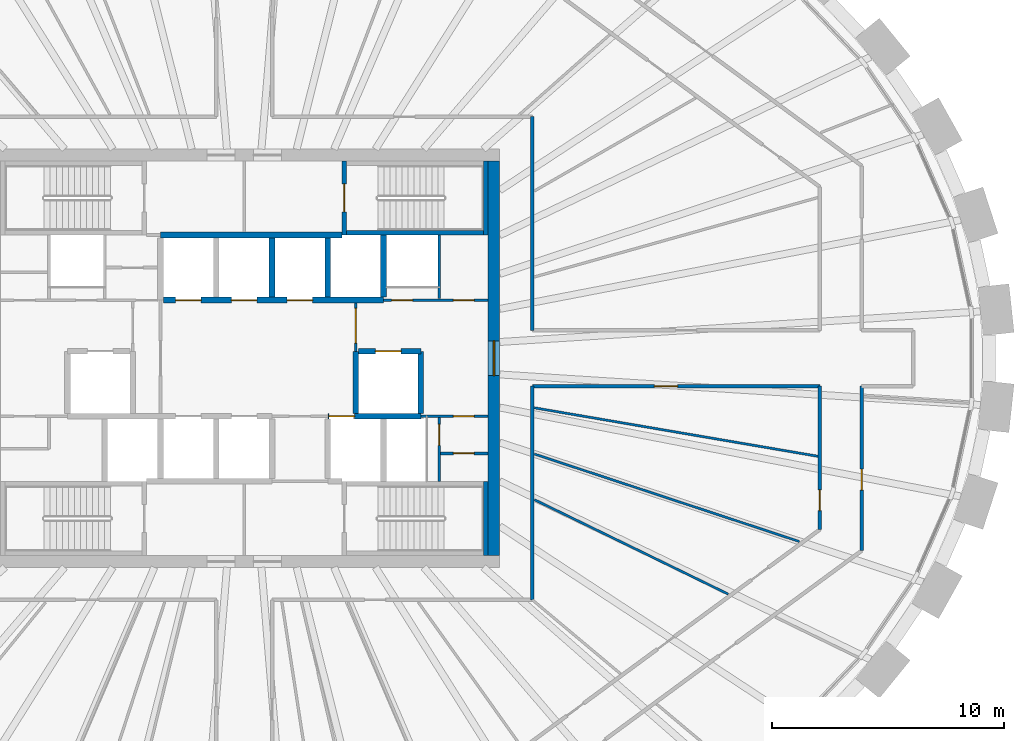
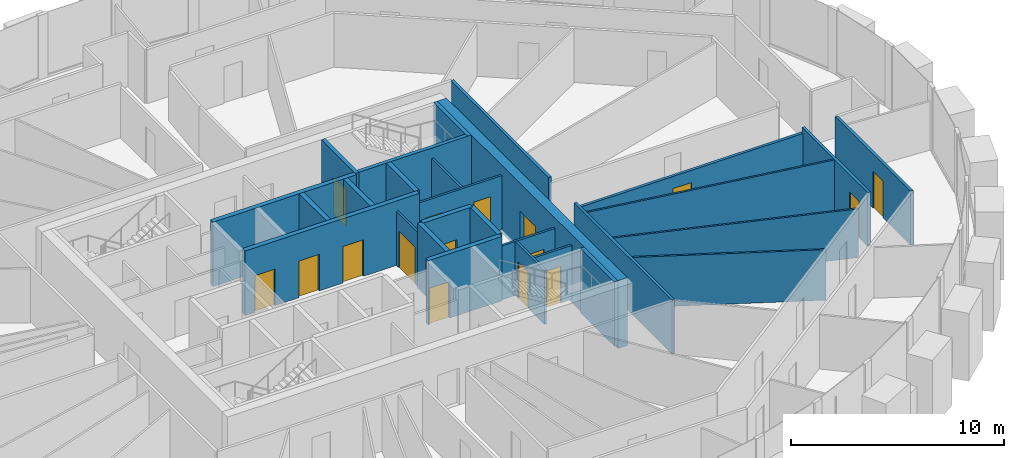
# One storey, part 9 of 12: 28 walls, 16 doors, 16 openings.
"""IFC4 building model written with IfcOpenShell, lengths in metres."""

from ifc_helpers import new_model, si_unit, direction, frame, frame_2d, origin, place, context, subcontext, project, spatial, rectangle, extrude, source, transform, mapped, material, layer, layer_set, type_object, element, fill, save


model = new_model("IFC4")

# Units and contexts
model_context = context("Model", 3, precision=1e-05, world=origin(), true_north=direction((0.0, 1.0)))
body_context = subcontext(model_context, "Body", "Model", "MODEL_VIEW")
ifc_project = project(units=[si_unit("LENGTHUNIT", "METRE"), si_unit("AREAUNIT", "SQUARE_METRE"), si_unit("VOLUMEUNIT", "CUBIC_METRE"), si_unit("PLANEANGLEUNIT", "RADIAN"), si_unit("MASSUNIT", "GRAM", prefix="KILO")], contexts=[model_context])

# Site, building, storey
site_placement = place(None, origin())
site = spatial("IfcSite", under=ifc_project, at=site_placement, CompositionType="ELEMENT")
building_placement = place(site_placement, origin())
building = spatial("IfcBuilding", under=site, at=building_placement, Name="Embergate Tower", CompositionType="ELEMENT")
storey_placement = place(building_placement, frame((0.0, 0.0, 269.5)))
storey = spatial("IfcBuildingStorey", under=building, at=storey_placement, Name="L62", CompositionType="ELEMENT", Elevation=269.5)

# Wall, opening, door
ifc_material_1 = material(Name="Concrete C50", Category="concrete")
ifc_layer_1 = layer(ifc_material_1, 0.5)
ifc_layer_set_1 = layer_set([ifc_layer_1], Name="Concrete C50")
wall_type_1 = type_object("IfcWallType", Name="Core outer wall C50 500", PredefinedType="SHEAR", material=ifc_layer_set_1)
shared_shape_1 = source(origin(), body_context, "Body", "SweptSolid", [
    extrude(rectangle(XDim=17.0, YDim=0.5, at=frame_2d((8.5, 0.0))), origin(), (0.0, 0.0, 1.0), 3.89990234375),
])
wall_1_placement = place(storey_placement, frame((10.75, -8.5, -0.199951171875), z_axis=(0.0, 0.0, 1.0), x_axis=(0.0, 1.0, 0.0)))
wall_1 = element("IfcWall", 1, at=wall_1_placement, inside=storey, type_object=wall_type_1, Name="CW-L62-E", PredefinedType="SHEAR", context=body_context, shape_type="MappedRepresentation", body=[
    mapped(shared_shape_1, transform((0.0, 0.0, 0.0))),
])
shared_shape_2 = source(origin(), body_context, "Body", "SweptSolid", [
    extrude(rectangle(XDim=1.5, YDim=2.10009765625, at=frame_2d((0.75, 1.050048828125))), frame((0.0, 0.260009765625, 0.0), z_axis=(0.0, -1.0, 0.0), x_axis=(1.0, 0.0, 0.0)), (0.0, 0.0, 1.0), 0.52001953125),
])
opening_1_placement = place(wall_1_placement, frame((7.75, 0.0, 0.199951171875)))
opening_1 = element("IfcOpeningElement", 2, at=opening_1_placement, cuts=wall_1, Name="Opening IF-3", PredefinedType="OPENING", context=body_context, shape_type="MappedRepresentation", body=[
    mapped(shared_shape_2, transform((0.0, 0.0, 0.0))),
])
ifc_material_2 = material(Name="Lobby fire door pair 1500")
door_type_1 = type_object("IfcDoorType", Name="Lobby fire door pair 1500", OperationType="DOUBLE_DOOR_SINGLE_SWING", PredefinedType="DOOR", material=ifc_material_2)
shared_shape_3 = source(origin(), body_context, "Body", "SweptSolid", [
    extrude(rectangle(XDim=1.5, YDim=2.10009765625, at=frame_2d((0.75, 1.050048828125))), frame((0.0, 0.02490234375, 0.0), z_axis=(0.0, -1.0, 0.0), x_axis=(1.0, 0.0, 0.0)), (0.0, 0.0, 1.0), 0.050048828125),
])
door_1_placement = place(opening_1_placement, origin())
door_1 = element("IfcDoor", 3, at=door_1_placement, inside=storey, type_object=door_type_1, Name="IF-3 door", OperationType="DOUBLE_DOOR_SINGLE_SWING", OverallHeight=2.10009765625, OverallWidth=1.5, PredefinedType="DOOR", context=body_context, shape_type="MappedRepresentation", body=[
    mapped(shared_shape_3, transform((0.0, 0.0, 0.0))),
])
fill(opening_1, door_1)

# Walls
ifc_layer_2 = layer(ifc_material_1, 0.25)
ifc_layer_set_2 = layer_set([ifc_layer_2], Name="Concrete C50")
wall_type_2 = type_object("IfcWallType", Name="Hoistway wall reinforced concrete 250", PredefinedType="SHEAR", material=ifc_layer_set_2)
shared_shape_4 = source(origin(), body_context, "Body", "SweptSolid", [
    extrude(rectangle(XDim=2.675048828125, YDim=0.25, at=frame_2d((1.33740234375, 0.0))), origin(), (0.0, 0.0, 1.0), 3.699951171875),
])
for number, where, z_axis, x_axis, name in (
    (4, (6.0, 2.625, 0.0), (0.0, 0.0, 1.0), (0.0, 1.0, 0.0), "HW-1 wall"),
    (5, (4.800048828125, -2.375, 0.0), (0.0, 0.0, 1.0), (0.0, 1.0, 0.0), "HW-1 wall"),
):
    element("IfcWall", number, at=place(storey_placement, frame(where, z_axis=z_axis, x_axis=x_axis)), inside=storey, type_object=wall_type_2, Name=name, PredefinedType="SHEAR", context=body_context, shape_type="MappedRepresentation", body=[
        mapped(shared_shape_4, transform((0.0, 0.0, 0.0))),
    ])

# Wall, opening, door
wall_2_placement = place(storey_placement, frame((7.60009765625, 0.300048828125, 0.0), z_axis=(0.0, 0.0, 1.0), x_axis=(-1.0, 0.0, 0.0)))
wall_2 = element("IfcWall", 6, at=wall_2_placement, inside=storey, type_object=wall_type_2, Name="HW-1 wall", PredefinedType="SHEAR", context=body_context, shape_type="MappedRepresentation", body=[
    mapped(shared_shape_4, transform((0.0, 0.0, 0.0))),
])
shared_shape_5 = source(origin(), body_context, "Body", "SweptSolid", [
    extrude(rectangle(XDim=1.10009765625, YDim=2.10009765625, at=frame_2d((0.550048828125, 1.050048828125))), frame((0.0, 0.135009765625, 0.0), z_axis=(0.0, -1.0, 0.0), x_axis=(1.0, 0.0, 0.0)), (0.0, 0.0, 1.0), 0.27001953125),
])
opening_2_placement = place(wall_2_placement, frame((0.85009765625, 0.0, 0.0)))
opening_2 = element("IfcOpeningElement", 7, at=opening_2_placement, cuts=wall_2, Name="Opening LD", PredefinedType="OPENING", context=body_context, shape_type="MappedRepresentation", body=[
    mapped(shared_shape_5, transform((0.0, 0.0, 0.0))),
])
ifc_material_3 = material(Name="Landing door sliding 1100")
door_type_2 = type_object("IfcDoorType", Name="Landing door sliding 1100", OperationType="SLIDING_TO_LEFT", PredefinedType="DOOR", material=ifc_material_3)
shared_shape_6 = source(origin(), body_context, "Body", "SweptSolid", [
    extrude(rectangle(XDim=1.10009765625, YDim=2.10009765625, at=frame_2d((0.550048828125, 1.050048828125))), frame((0.0, 0.02490234375, 0.0), z_axis=(0.0, -1.0, 0.0), x_axis=(1.0, 0.0, 0.0)), (0.0, 0.0, 1.0), 0.050048828125),
])
door_2_placement = place(opening_2_placement, origin())
door_2 = element("IfcDoor", 8, at=door_2_placement, inside=storey, type_object=door_type_2, Name="LD door", OperationType="SLIDING_TO_LEFT", OverallHeight=2.10009765625, OverallWidth=1.10009765625, PredefinedType="DOOR", context=body_context, shape_type="MappedRepresentation", body=[
    mapped(shared_shape_6, transform((0.0, 0.0, 0.0))),
])
fill(opening_2, door_2)

# Walls
wall_3_placement = place(storey_placement, frame((7.60009765625, -2.375, 0.0), z_axis=(0.0, 0.0, 1.0), x_axis=(0.0, 1.0, 0.0)))
element("IfcWall", 9, at=wall_3_placement, inside=storey, type_object=wall_type_2, Name="HW-1 wall", PredefinedType="SHEAR", context=body_context, shape_type="MappedRepresentation", body=[
    mapped(shared_shape_4, transform((0.0, 0.0, 0.0))),
])
ifc_layer_3 = layer(ifc_material_1, 0.199951171875)
ifc_layer_set_3 = layer_set([ifc_layer_3], Name="Concrete C50")
wall_type_3 = type_object("IfcWallType", Name="Stair enclosure wall reinforced concrete 250", PredefinedType="SHEAR", material=ifc_layer_set_3)
shared_shape_7 = source(origin(), body_context, "Body", "SweptSolid", [
    extrude(rectangle(XDim=6.300048828125, YDim=0.199951171875, at=frame_2d((3.14990234375, 0.0))), origin(), (0.0, 0.0, 1.0), 3.699951171875),
])
wall_4_placement = place(storey_placement, frame((10.5, 5.39990234375, 0.0), z_axis=(0.0, 0.0, 1.0), x_axis=(-1.0, 0.0, 0.0)))
element("IfcWall", 10, at=wall_4_placement, inside=storey, type_object=wall_type_3, Name="SE-1 wall", PredefinedType="SHEAR", context=body_context, shape_type="MappedRepresentation", body=[
    mapped(shared_shape_7, transform((0.0, 0.0, 0.0))),
])
ifc_material_4 = material(Name="Core partition blockwork 120")
ifc_layer_4 = layer(ifc_material_4, 0.1201171875)
ifc_layer_set_4 = layer_set([ifc_layer_4], Name="Core partition blockwork 120")
wall_type_4 = type_object("IfcWallType", Name="Core partition blockwork 120", PredefinedType="PARTITIONING", material=ifc_layer_set_4)
shared_shape_8 = source(origin(), body_context, "Body", "SweptSolid", [
    extrude(rectangle(XDim=2.739990234375, YDim=0.1201171875, at=frame_2d((1.3701171875, 0.0))), origin(), (0.0, 0.0, 1.0), 3.10009765625),
])
wall_5_placement = place(storey_placement, frame((8.39990234375, 2.56005859375, 0.0), z_axis=(0.0, 0.0, 1.0), x_axis=(0.0, 1.0, 0.0)))
element("IfcWall", 11, at=wall_5_placement, inside=storey, type_object=wall_type_4, Name="IP-3 wall", PredefinedType="PARTITIONING", context=body_context, shape_type="MappedRepresentation", body=[
    mapped(shared_shape_8, transform((0.0, 0.0, 0.0))),
])

# Wall, opening, door
wall_6_placement = place(storey_placement, frame((8.39990234375, -5.300048828125, 0.0), z_axis=(0.0, 0.0, 1.0), x_axis=(0.0, 1.0, 0.0)))
wall_6 = element("IfcWall", 12, at=wall_6_placement, inside=storey, type_object=wall_type_4, Name="IP-3 wall", PredefinedType="PARTITIONING", context=body_context, shape_type="MappedRepresentation", body=[
    mapped(shared_shape_8, transform((0.0, 0.0, 0.0))),
])
shared_shape_9 = source(origin(), body_context, "Body", "SweptSolid", [
    extrude(rectangle(XDim=0.89990234375, YDim=2.10009765625, at=frame_2d((0.449951171875, 1.050048828125))), frame((0.0, 0.070068359375, 0.0), z_axis=(0.0, -1.0, 0.0), x_axis=(1.0, 0.0, 0.0)), (0.0, 0.0, 1.0), 0.14013671875),
])
opening_3_placement = place(wall_6_placement, frame((1.552001953125, 0.0, 0.0)))
opening_3 = element("IfcOpeningElement", 13, at=opening_3_placement, cuts=wall_6, Name="Opening ID-1", PredefinedType="OPENING", context=body_context, shape_type="MappedRepresentation", body=[
    mapped(shared_shape_9, transform((0.0, 0.0, 0.0))),
])
ifc_material_5 = material(Name="Interior door 900")
door_type_3 = type_object("IfcDoorType", Name="Interior door 900", OperationType="SINGLE_SWING_LEFT", PredefinedType="DOOR", material=ifc_material_5)
shared_shape_10 = source(origin(), body_context, "Body", "SweptSolid", [
    extrude(rectangle(XDim=0.89990234375, YDim=2.10009765625, at=frame_2d((0.449951171875, 1.050048828125))), frame((0.0, 0.02490234375, 0.0), z_axis=(0.0, -1.0, 0.0), x_axis=(1.0, 0.0, 0.0)), (0.0, 0.0, 1.0), 0.050048828125),
])
door_3_placement = place(opening_3_placement, origin())
door_3 = element("IfcDoor", 14, at=door_3_placement, inside=storey, type_object=door_type_3, Name="ID-1 door", OperationType="SINGLE_SWING_LEFT", OverallHeight=2.10009765625, OverallWidth=0.89990234375, PredefinedType="DOOR", context=body_context, shape_type="MappedRepresentation", body=[
    mapped(shared_shape_10, transform((0.0, 0.0, 0.0))),
])
fill(opening_3, door_3)

# Walls
shared_shape_11 = source(origin(), body_context, "Body", "SweptSolid", [
    extrude(rectangle(XDim=2.550048828125, YDim=0.25, at=frame_2d((1.27490234375, 0.0))), origin(), (0.0, 0.0, 1.0), 3.699951171875),
])
for number, where, z_axis, x_axis, name in (
    (15, (1.199951171875, 2.625, 0.0), (0.0, 0.0, 1.0), (0.0, 1.0, 0.0), "HW-1 wall"),
    (16, (3.60009765625, 2.625, 0.0), (0.0, 0.0, 1.0), (0.0, 1.0, 0.0), "HW-1 wall"),
):
    element("IfcWall", number, at=place(storey_placement, frame(where, z_axis=z_axis, x_axis=x_axis)), inside=storey, type_object=wall_type_2, Name=name, PredefinedType="SHEAR", context=body_context, shape_type="MappedRepresentation", body=[
        mapped(shared_shape_11, transform((0.0, 0.0, 0.0))),
    ])

# Wall, opening, door
shared_shape_12 = source(origin(), body_context, "Body", "SweptSolid", [
    extrude(rectangle(XDim=2.074951171875, YDim=0.1201171875, at=frame_2d((1.03759765625, 0.0))), origin(), (0.0, 0.0, 1.0), 3.10009765625),
])
wall_7_placement = place(storey_placement, frame((4.800048828125, 0.300048828125, 0.0), z_axis=(0.0, 0.0, 1.0), x_axis=(0.0, 1.0, 0.0)))
wall_7 = element("IfcWall", 17, at=wall_7_placement, inside=storey, type_object=wall_type_4, Name="IP-3 wall", PredefinedType="PARTITIONING", context=body_context, shape_type="MappedRepresentation", body=[
    mapped(shared_shape_12, transform((0.0, 0.0, 0.0))),
])
shared_shape_13 = source(origin(), body_context, "Body", "SweptSolid", [
    extrude(rectangle(XDim=1.5, YDim=2.10009765625, at=frame_2d((0.75, 1.050048828125))), frame((0.0, 0.070068359375, 0.0), z_axis=(0.0, -1.0, 0.0), x_axis=(1.0, 0.0, 0.0)), (0.0, 0.0, 1.0), 0.14013671875),
])
opening_4_placement = place(wall_7_placement, frame((0.35009765625, 0.0, 0.0)))
opening_4 = element("IfcOpeningElement", 18, at=opening_4_placement, cuts=wall_7, Name="Opening IF-3", PredefinedType="OPENING", context=body_context, shape_type="MappedRepresentation", body=[
    mapped(shared_shape_13, transform((0.0, 0.0, 0.0))),
])
door_4_placement = place(opening_4_placement, origin())
door_4 = element("IfcDoor", 19, at=door_4_placement, inside=storey, type_object=door_type_1, Name="IF-3 door", OperationType="DOUBLE_DOOR_SINGLE_SWING", OverallHeight=2.10009765625, OverallWidth=1.5, PredefinedType="DOOR", context=body_context, shape_type="MappedRepresentation", body=[
    mapped(shared_shape_3, transform((0.0, 0.0, 0.0))),
])
fill(opening_4, door_4)

shared_shape_14 = source(origin(), body_context, "Body", "SweptSolid", [
    extrude(rectangle(XDim=3.199951171875, YDim=0.199951171875, at=frame_2d((1.60009765625, 0.0))), origin(), (0.0, 0.0, 1.0), 3.699951171875),
])
wall_8_placement = place(storey_placement, frame((4.300048828125, 8.5, 0.0), z_axis=(0.0, 0.0, 1.0), x_axis=(0.0, -1.0, 0.0)))
wall_8 = element("IfcWall", 20, at=wall_8_placement, inside=storey, type_object=wall_type_3, Name="SE-1 wall", PredefinedType="SHEAR", context=body_context, shape_type="MappedRepresentation", body=[
    mapped(shared_shape_14, transform((0.0, 0.0, 0.0))),
])
shared_shape_15 = source(origin(), body_context, "Body", "SweptSolid", [
    extrude(rectangle(XDim=1.199951171875, YDim=2.10009765625, at=frame_2d((0.60009765625, 1.050048828125))), frame((0.0, 0.10986328125, 0.0), z_axis=(0.0, -1.0, 0.0), x_axis=(1.0, 0.0, 0.0)), (0.0, 0.0, 1.0), 0.219970703125),
])
opening_5_placement = place(wall_8_placement, frame((1.0, 0.0, 0.0)))
opening_5 = element("IfcOpeningElement", 21, at=opening_5_placement, cuts=wall_8, Name="Opening IF-2", PredefinedType="OPENING", context=body_context, shape_type="MappedRepresentation", body=[
    mapped(shared_shape_15, transform((0.0, 0.0, 0.0))),
])
ifc_material_6 = material(Name="Stair enclosure door 1200")
door_type_4 = type_object("IfcDoorType", Name="Stair enclosure door 1200", OperationType="SINGLE_SWING_LEFT", PredefinedType="DOOR", material=ifc_material_6)
shared_shape_16 = source(origin(), body_context, "Body", "SweptSolid", [
    extrude(rectangle(XDim=1.199951171875, YDim=2.10009765625, at=frame_2d((0.60009765625, 1.050048828125))), frame((0.0, 0.02490234375, 0.0), z_axis=(0.0, -1.0, 0.0), x_axis=(1.0, 0.0, 0.0)), (0.0, 0.0, 1.0), 0.050048828125),
])
door_5_placement = place(opening_5_placement, origin())
door_5 = element("IfcDoor", 22, at=door_5_placement, inside=storey, type_object=door_type_4, Name="IF-2 door", OperationType="SINGLE_SWING_RIGHT", OverallHeight=2.10009765625, OverallWidth=1.199951171875, PredefinedType="DOOR", context=body_context, shape_type="MappedRepresentation", body=[
    mapped(shared_shape_16, transform((0.0, 0.0, 0.0))),
])
fill(opening_5, door_5)

# Wall, openings, doors
shared_shape_17 = source(origin(), body_context, "Body", "SweptSolid", [
    extrude(rectangle(XDim=9.47509765625, YDim=0.25, at=frame_2d((4.737548828125, 0.0))), origin(), (0.0, 0.0, 1.0), 3.699951171875),
])
wall_9_placement = place(storey_placement, frame((-3.47509765625, 2.5, 0.0), z_axis=(0.0, 0.0, 1.0), x_axis=(1.0, 0.0, 0.0)))
wall_9 = element("IfcWall", 23, at=wall_9_placement, inside=storey, type_object=wall_type_2, Name="HW-1 wall", PredefinedType="SHEAR", context=body_context, shape_type="MappedRepresentation", body=[
    mapped(shared_shape_17, transform((0.0, 0.0, 0.0))),
])
opening_6_placement = place(wall_9_placement, frame((0.52490234375, 0.0, 0.0)))
opening_6 = element("IfcOpeningElement", 24, at=opening_6_placement, cuts=wall_9, Name="Opening LD", PredefinedType="OPENING", context=body_context, shape_type="MappedRepresentation", body=[
    mapped(shared_shape_5, transform((0.0, 0.0, 0.0))),
])
opening_7_placement = place(wall_9_placement, frame((2.925048828125, 0.0, 0.0)))
opening_7 = element("IfcOpeningElement", 25, at=opening_7_placement, cuts=wall_9, Name="Opening LD", PredefinedType="OPENING", context=body_context, shape_type="MappedRepresentation", body=[
    mapped(shared_shape_5, transform((0.0, 0.0, 0.0))),
])
opening_8_placement = place(wall_9_placement, frame((5.324951171875, 0.0, 0.0)))
opening_8 = element("IfcOpeningElement", 26, at=opening_8_placement, cuts=wall_9, Name="Opening LD", PredefinedType="OPENING", context=body_context, shape_type="MappedRepresentation", body=[
    mapped(shared_shape_5, transform((0.0, 0.0, 0.0))),
])
door_6_placement = place(opening_6_placement, origin())
door_6 = element("IfcDoor", 27, at=door_6_placement, inside=storey, type_object=door_type_2, Name="LD door", OperationType="SLIDING_TO_LEFT", OverallHeight=2.10009765625, OverallWidth=1.10009765625, PredefinedType="DOOR", context=body_context, shape_type="MappedRepresentation", body=[
    mapped(shared_shape_6, transform((0.0, 0.0, 0.0))),
])
fill(opening_6, door_6)
door_7_placement = place(opening_7_placement, origin())
door_7 = element("IfcDoor", 28, at=door_7_placement, inside=storey, type_object=door_type_2, Name="LD door", OperationType="SLIDING_TO_LEFT", OverallHeight=2.10009765625, OverallWidth=1.10009765625, PredefinedType="DOOR", context=body_context, shape_type="MappedRepresentation", body=[
    mapped(shared_shape_6, transform((0.0, 0.0, 0.0))),
])
fill(opening_7, door_7)
door_8_placement = place(opening_8_placement, origin())
door_8 = element("IfcDoor", 29, at=door_8_placement, inside=storey, type_object=door_type_2, Name="LD door", OperationType="SLIDING_TO_LEFT", OverallHeight=2.10009765625, OverallWidth=1.10009765625, PredefinedType="DOOR", context=body_context, shape_type="MappedRepresentation", body=[
    mapped(shared_shape_6, transform((0.0, 0.0, 0.0))),
])
fill(opening_8, door_8)

# Wall
shared_shape_18 = source(origin(), body_context, "Body", "SweptSolid", [
    extrude(rectangle(XDim=7.800048828125, YDim=0.25, at=frame_2d((3.89990234375, 0.0))), origin(), (0.0, 0.0, 1.0), 3.699951171875),
])
wall_10_placement = place(storey_placement, frame((4.199951171875, 5.300048828125, 0.0), z_axis=(0.0, 0.0, 1.0), x_axis=(-1.0, 0.0, 0.0)))
element("IfcWall", 30, at=wall_10_placement, inside=storey, type_object=wall_type_2, Name="HW-1 wall", PredefinedType="SHEAR", context=body_context, shape_type="MappedRepresentation", body=[
    mapped(shared_shape_18, transform((0.0, 0.0, 0.0))),
])

# Wall, opening, door
shared_shape_19 = source(origin(), body_context, "Body", "SweptSolid", [
    extrude(rectangle(XDim=4.0, YDim=0.25, at=frame_2d((2.0, 0.0))), origin(), (0.0, 0.0, 1.0), 3.699951171875),
])
wall_11_placement = place(storey_placement, frame((7.60009765625, -2.5, 0.0), z_axis=(0.0, 0.0, 1.0), x_axis=(-1.0, 0.0, 0.0)))
wall_11 = element("IfcWall", 31, at=wall_11_placement, inside=storey, type_object=wall_type_2, Name="HW-1 wall", PredefinedType="SHEAR", context=body_context, shape_type="MappedRepresentation", body=[
    mapped(shared_shape_19, transform((0.0, 0.0, 0.0))),
])
opening_9_placement = place(wall_11_placement, frame((2.85009765625, 0.0, 0.0)))
opening_9 = element("IfcOpeningElement", 32, at=opening_9_placement, cuts=wall_11, Name="Opening LD", PredefinedType="OPENING", context=body_context, shape_type="MappedRepresentation", body=[
    mapped(shared_shape_5, transform((0.0, 0.0, 0.0))),
])
door_9_placement = place(opening_9_placement, origin())
door_9 = element("IfcDoor", 33, at=door_9_placement, inside=storey, type_object=door_type_2, Name="LD door", OperationType="SLIDING_TO_RIGHT", OverallHeight=2.10009765625, OverallWidth=1.10009765625, PredefinedType="DOOR", context=body_context, shape_type="MappedRepresentation", body=[
    mapped(shared_shape_6, transform((0.0, 0.0, 0.0))),
])
fill(opening_9, door_9)

# Walls
shared_shape_20 = source(origin(), body_context, "Body", "SweptSolid", [
    extrude(rectangle(XDim=3.197998046875, YDim=0.199951171875, at=frame_2d((1.59912109375, 0.0))), origin(), (0.0, 0.0, 1.0), 3.699951171875),
])
for number, where, z_axis, x_axis, name in (
    (34, (10.39990234375, 5.302001953125, 0.0), (0.0, 0.0, 1.0), (0.0, 1.0, 0.0), "SE-1 wall"),
    (35, (10.39990234375, -8.5, 0.0), (0.0, 0.0, 1.0), (0.0, 1.0, 0.0), "SE-1 wall"),
):
    element("IfcWall", number, at=place(storey_placement, frame(where, z_axis=z_axis, x_axis=x_axis)), inside=storey, type_object=wall_type_3, Name=name, PredefinedType="SHEAR", context=body_context, shape_type="MappedRepresentation", body=[
        mapped(shared_shape_20, transform((0.0, 0.0, 0.0))),
    ])
ifc_material_7 = material(Name="Corridor wall dry-lined 150")
ifc_layer_5 = layer(ifc_material_7, 0.14990234375)
ifc_layer_set_5 = layer_set([ifc_layer_5], Name="Corridor wall dry-lined 150")
wall_type_5 = type_object("IfcWallType", Name="Corridor wall dry-lined 150", PredefinedType="PARTITIONING", material=ifc_layer_set_5)
shared_shape_21 = source(origin(), body_context, "Body", "SweptSolid", [
    extrude(rectangle(XDim=9.199951171875, YDim=0.14990234375, at=frame_2d((4.60009765625, 0.0))), origin(), (0.0, 0.0, 1.0), 3.10009765625),
])
wall_12_placement = place(storey_placement, frame((12.39990234375, 10.39990234375, 0.0), z_axis=(0.0, 0.0, 1.0), x_axis=(0.0, -1.0, 0.0)))
element("IfcWall", 36, at=wall_12_placement, inside=storey, type_object=wall_type_5, Name="IP-2 wall", PredefinedType="PARTITIONING", context=body_context, shape_type="MappedRepresentation", body=[
    mapped(shared_shape_21, transform((0.0, 0.0, 0.0))),
])

# Wall, openings, doors
shared_shape_22 = source(origin(), body_context, "Body", "SweptSolid", [
    extrude(rectangle(XDim=4.5, YDim=0.1201171875, at=frame_2d((2.25, 0.0))), origin(), (0.0, 0.0, 1.0), 3.10009765625),
])
wall_13_placement = place(storey_placement, frame((6.0, 2.5, 0.0), z_axis=(0.0, 0.0, 1.0), x_axis=(1.0, 0.0, 0.0)))
wall_13 = element("IfcWall", 37, at=wall_13_placement, inside=storey, type_object=wall_type_4, Name="IP-3 wall", PredefinedType="PARTITIONING", context=body_context, shape_type="MappedRepresentation", body=[
    mapped(shared_shape_22, transform((0.0, 0.0, 0.0))),
])
opening_10_placement = place(wall_13_placement, frame((0.35009765625, 0.0, 0.0)))
opening_10 = element("IfcOpeningElement", 38, at=opening_10_placement, cuts=wall_13, Name="Opening ID-1", PredefinedType="OPENING", context=body_context, shape_type="MappedRepresentation", body=[
    mapped(shared_shape_9, transform((0.0, 0.0, 0.0))),
])
opening_11_placement = place(wall_13_placement, frame((3.0, 0.0, 0.0)))
opening_11 = element("IfcOpeningElement", 39, at=opening_11_placement, cuts=wall_13, Name="Opening ID-1", PredefinedType="OPENING", context=body_context, shape_type="MappedRepresentation", body=[
    mapped(shared_shape_9, transform((0.0, 0.0, 0.0))),
])
door_10_placement = place(opening_10_placement, origin())
door_10 = element("IfcDoor", 40, at=door_10_placement, inside=storey, type_object=door_type_3, Name="ID-1 door", OperationType="SINGLE_SWING_LEFT", OverallHeight=2.10009765625, OverallWidth=0.89990234375, PredefinedType="DOOR", context=body_context, shape_type="MappedRepresentation", body=[
    mapped(shared_shape_10, transform((0.0, 0.0, 0.0))),
])
fill(opening_10, door_10)
door_11_placement = place(opening_11_placement, origin())
door_11 = element("IfcDoor", 41, at=door_11_placement, inside=storey, type_object=door_type_3, Name="ID-1 door", OperationType="SINGLE_SWING_RIGHT", OverallHeight=2.10009765625, OverallWidth=0.89990234375, PredefinedType="DOOR", context=body_context, shape_type="MappedRepresentation", body=[
    mapped(shared_shape_10, transform((0.0, 0.0, 0.0))),
])
fill(opening_11, door_11)

# Wall, opening, door
shared_shape_23 = source(origin(), body_context, "Body", "SweptSolid", [
    extrude(rectangle(XDim=2.89990234375, YDim=0.1201171875, at=frame_2d((1.449951171875, 0.0))), origin(), (0.0, 0.0, 1.0), 3.10009765625),
])
wall_14_placement = place(storey_placement, frame((10.5, -2.5, 0.0), z_axis=(0.0, 0.0, 1.0), x_axis=(-1.0, 0.0, 0.0)))
wall_14 = element("IfcWall", 42, at=wall_14_placement, inside=storey, type_object=wall_type_4, Name="IP-3 wall", PredefinedType="PARTITIONING", context=body_context, shape_type="MappedRepresentation", body=[
    mapped(shared_shape_23, transform((0.0, 0.0, 0.0))),
])
opening_12_placement = place(wall_14_placement, frame((0.60009765625, 0.0, 0.0)))
opening_12 = element("IfcOpeningElement", 43, at=opening_12_placement, cuts=wall_14, Name="Opening ID-1", PredefinedType="OPENING", context=body_context, shape_type="MappedRepresentation", body=[
    mapped(shared_shape_9, transform((0.0, 0.0, 0.0))),
])
door_12_placement = place(opening_12_placement, origin())
door_12 = element("IfcDoor", 44, at=door_12_placement, inside=storey, type_object=door_type_3, Name="ID-1 door", OperationType="SINGLE_SWING_LEFT", OverallHeight=2.10009765625, OverallWidth=0.89990234375, PredefinedType="DOOR", context=body_context, shape_type="MappedRepresentation", body=[
    mapped(shared_shape_10, transform((0.0, 0.0, 0.0))),
])
fill(opening_12, door_12)

shared_shape_24 = source(origin(), body_context, "Body", "SweptSolid", [
    extrude(rectangle(XDim=2.0400390625, YDim=0.1201171875, at=frame_2d((1.02001953125, 0.0))), origin(), (0.0, 0.0, 1.0), 3.10009765625),
])
wall_15_placement = place(storey_placement, frame((10.5, -4.095947265625, 0.0), z_axis=(0.0, 0.0, 1.0), x_axis=(-1.0, 0.0, 0.0)))
wall_15 = element("IfcWall", 45, at=wall_15_placement, inside=storey, type_object=wall_type_4, Name="IP-3 wall", PredefinedType="PARTITIONING", context=body_context, shape_type="MappedRepresentation", body=[
    mapped(shared_shape_24, transform((0.0, 0.0, 0.0))),
])
opening_13_placement = place(wall_15_placement, frame((0.60009765625, 0.0, 0.0)))
opening_13 = element("IfcOpeningElement", 46, at=opening_13_placement, cuts=wall_15, Name="Opening ID-1", PredefinedType="OPENING", context=body_context, shape_type="MappedRepresentation", body=[
    mapped(shared_shape_9, transform((0.0, 0.0, 0.0))),
])
door_13_placement = place(opening_13_placement, origin())
door_13 = element("IfcDoor", 47, at=door_13_placement, inside=storey, type_object=door_type_3, Name="ID-1 door", OperationType="SINGLE_SWING_RIGHT", OverallHeight=2.10009765625, OverallWidth=0.89990234375, PredefinedType="DOOR", context=body_context, shape_type="MappedRepresentation", body=[
    mapped(shared_shape_10, transform((0.0, 0.0, 0.0))),
])
fill(opening_13, door_13)

# Wall
ifc_material_8 = material(Name="Corridor wall dry-lined 150 wet")
ifc_layer_6 = layer(ifc_material_8, 0.14990234375)
ifc_layer_set_6 = layer_set([ifc_layer_6], Name="Corridor wall dry-lined 150 wet")
wall_type_6 = type_object("IfcWallType", Name="Corridor wall dry-lined 150 wet", PredefinedType="PLUMBINGWALL", material=ifc_layer_set_6)
shared_shape_25 = source(origin(), body_context, "Body", "SweptSolid", [
    extrude(rectangle(XDim=9.198974609375, YDim=0.14990234375, at=frame_2d((4.599609375, 0.0))), origin(), (0.0, 0.0, 1.0), 3.10009765625),
])
wall_16_placement = place(storey_placement, frame((12.39990234375, -1.199951171875, 0.0), z_axis=(0.0, 0.0, 1.0), x_axis=(0.0, -1.0, 0.0)))
element("IfcWall", 48, at=wall_16_placement, inside=storey, type_object=wall_type_6, Name="IP-2 wall", PredefinedType="PLUMBINGWALL", context=body_context, shape_type="MappedRepresentation", body=[
    mapped(shared_shape_25, transform((0.0, 0.0, 0.0))),
])

# Wall, opening, door
shared_shape_26 = source(origin(), body_context, "Body", "SweptSolid", [
    extrude(rectangle(XDim=7.083984375, YDim=0.14990234375, at=frame_2d((3.5419921875, 0.0))), origin(), (0.0, 0.0, 1.0), 3.10009765625),
])
wall_17_placement = place(storey_placement, frame((26.5810546875, -8.283935546875, 0.0), z_axis=(0.0, 0.0, 1.0), x_axis=(0.0, 1.0, 0.0)))
wall_17 = element("IfcWall", 49, at=wall_17_placement, inside=storey, type_object=wall_type_5, Name="IP-2 wall", PredefinedType="PARTITIONING", context=body_context, shape_type="MappedRepresentation", body=[
    mapped(shared_shape_26, transform((0.0, 0.0, 0.0))),
])
shared_shape_27 = source(origin(), body_context, "Body", "SweptSolid", [
    extrude(rectangle(XDim=0.89990234375, YDim=2.10009765625, at=frame_2d((0.449951171875, 1.050048828125))), frame((0.0, 0.0849609375, 0.0), z_axis=(0.0, -1.0, 0.0), x_axis=(1.0, 0.0, 0.0)), (0.0, 0.0, 1.0), 0.169921875),
])
opening_14_placement = place(wall_17_placement, frame((2.611328125, 0.0, 0.0)))
opening_14 = element("IfcOpeningElement", 50, at=opening_14_placement, cuts=wall_17, Name="Opening IF-1c", PredefinedType="OPENING", context=body_context, shape_type="MappedRepresentation", body=[
    mapped(shared_shape_27, transform((0.0, 0.0, 0.0))),
])
ifc_material_9 = material(Name="Escape fire door 900")
door_type_5 = type_object("IfcDoorType", Name="Escape fire door 900", OperationType="SINGLE_SWING_LEFT", PredefinedType="DOOR", material=ifc_material_9)
door_14_placement = place(opening_14_placement, origin())
door_14 = element("IfcDoor", 51, at=door_14_placement, inside=storey, type_object=door_type_5, Name="IF-1 door", OperationType="SINGLE_SWING_RIGHT", OverallHeight=2.10009765625, OverallWidth=0.89990234375, PredefinedType="DOOR", context=body_context, shape_type="MappedRepresentation", body=[
    mapped(shared_shape_10, transform((0.0, 0.0, 0.0))),
])
fill(opening_14, door_14)

shared_shape_28 = source(origin(), body_context, "Body", "SweptSolid", [
    extrude(rectangle(XDim=12.381103515625, YDim=0.14990234375, at=frame_2d((6.1904296875, 0.0))), origin(), (0.0, 0.0, 1.0), 2.800048828125),
])
wall_18_placement = place(storey_placement, frame((24.781005859375, -1.199951171875, 0.0), z_axis=(0.0, 0.0, 1.0), x_axis=(-1.0, 0.0, 0.0)))
wall_18 = element("IfcWall", 52, at=wall_18_placement, inside=storey, type_object=wall_type_5, Name="IP-2 wall", PredefinedType="PARTITIONING", context=body_context, shape_type="MappedRepresentation", body=[
    mapped(shared_shape_28, transform((0.0, 0.0, 0.0))),
])
shared_shape_29 = source(origin(), body_context, "Body", "SweptSolid", [
    extrude(rectangle(XDim=1.0, YDim=2.10009765625, at=frame_2d((0.5, 1.050048828125))), frame((0.0, 0.0849609375, 0.0), z_axis=(0.0, -1.0, 0.0), x_axis=(1.0, 0.0, 0.0)), (0.0, 0.0, 1.0), 0.169921875),
])
opening_15_placement = place(wall_18_placement, frame((6.1220703125, 0.0, 0.0)))
opening_15 = element("IfcOpeningElement", 53, at=opening_15_placement, cuts=wall_18, Name="Opening ID-2", PredefinedType="OPENING", context=body_context, shape_type="MappedRepresentation", body=[
    mapped(shared_shape_29, transform((0.0, 0.0, 0.0))),
])
ifc_material_10 = material(Name="Interior door 1000")
door_type_6 = type_object("IfcDoorType", Name="Interior door 1000", OperationType="SINGLE_SWING_LEFT", PredefinedType="DOOR", material=ifc_material_10)
shared_shape_30 = source(origin(), body_context, "Body", "SweptSolid", [
    extrude(rectangle(XDim=1.0, YDim=2.10009765625, at=frame_2d((0.5, 1.050048828125))), frame((0.0, 0.02490234375, 0.0), z_axis=(0.0, -1.0, 0.0), x_axis=(1.0, 0.0, 0.0)), (0.0, 0.0, 1.0), 0.050048828125),
])
door_15_placement = place(opening_15_placement, origin())
door_15 = element("IfcDoor", 54, at=door_15_placement, inside=storey, type_object=door_type_6, Name="ID-2 door", OperationType="SINGLE_SWING_RIGHT", OverallHeight=2.10009765625, OverallWidth=1.0, PredefinedType="DOOR", context=body_context, shape_type="MappedRepresentation", body=[
    mapped(shared_shape_30, transform((0.0, 0.0, 0.0))),
])
fill(opening_15, door_15)

shared_shape_31 = source(origin(), body_context, "Body", "SweptSolid", [
    extrude(rectangle(XDim=6.174072265625, YDim=0.14990234375, at=frame_2d((3.0869140625, 0.0))), origin(), (0.0, 0.0, 1.0), 3.10009765625),
])
wall_19_placement = place(storey_placement, frame((24.781005859375, -1.199951171875, 0.0), z_axis=(0.0, 0.0, 1.0), x_axis=(0.0, -1.0, 0.0)))
wall_19 = element("IfcWall", 55, at=wall_19_placement, inside=storey, type_object=wall_type_5, Name="IP-2 wall", PredefinedType="PARTITIONING", context=body_context, shape_type="MappedRepresentation", body=[
    mapped(shared_shape_31, transform((0.0, 0.0, 0.0))),
])
opening_16_placement = place(wall_19_placement, frame((4.465087890625, 0.0, 0.0)))
opening_16 = element("IfcOpeningElement", 56, at=opening_16_placement, cuts=wall_19, Name="Opening IF-1c", PredefinedType="OPENING", context=body_context, shape_type="MappedRepresentation", body=[
    mapped(shared_shape_27, transform((0.0, 0.0, 0.0))),
])
door_16_placement = place(opening_16_placement, origin())
door_16 = element("IfcDoor", 57, at=door_16_placement, inside=storey, type_object=door_type_5, Name="IF-1 door", OperationType="SINGLE_SWING_RIGHT", OverallHeight=2.10009765625, OverallWidth=0.89990234375, PredefinedType="DOOR", context=body_context, shape_type="MappedRepresentation", body=[
    mapped(shared_shape_10, transform((0.0, 0.0, 0.0))),
])
fill(opening_16, door_16)

# Walls
ifc_material_11 = material(Name="Partition dry-lined 100 wet")
ifc_layer_7 = layer(ifc_material_11, 0.10009765625)
ifc_layer_set_7 = layer_set([ifc_layer_7], Name="Partition dry-lined 100 wet")
wall_type_7 = type_object("IfcWallType", Name="Partition dry-lined 100 wet", PredefinedType="PLUMBINGWALL", material=ifc_layer_set_7)
shared_shape_32 = source(origin(), body_context, "Body", "SweptSolid", [
    extrude(rectangle(XDim=9.27783203125, YDim=0.10009765625, at=frame_2d((4.638916015625, 0.0))), origin(), (0.0, 0.0, 1.0), 2.89990234375),
])
wall_20_placement = place(storey_placement, frame((12.4970703125, -6.091064453125, 0.0), z_axis=(0.0, 0.0, 1.0), x_axis=(0.898907497404, -0.438138461118, 0.0)))
element("IfcWall", 58, at=wall_20_placement, inside=storey, type_object=wall_type_7, Name="IP-1 wall", PredefinedType="PLUMBINGWALL", context=body_context, shape_type="MappedRepresentation", body=[
    mapped(shared_shape_32, transform((0.0, 0.0, 0.0))),
])
ifc_material_12 = material(Name="Partition dry-lined 100")
ifc_layer_8 = layer(ifc_material_12, 0.10009765625)
ifc_layer_set_8 = layer_set([ifc_layer_8], Name="Partition dry-lined 100")
wall_type_8 = type_object("IfcWallType", Name="Partition dry-lined 100", PredefinedType="PARTITIONING", material=ifc_layer_set_8)
shared_shape_33 = source(origin(), body_context, "Body", "SweptSolid", [
    extrude(rectangle(XDim=12.01806640625, YDim=0.10009765625, at=frame_2d((6.009033203125, 0.0))), origin(), (0.0, 0.0, 1.0), 2.800048828125),
])
wall_21_placement = place(storey_placement, frame((12.490966796875, -4.1240234375, 0.0), z_axis=(0.0, 0.0, 1.0), x_axis=(0.949577371286, -0.313532798828, 0.0)))
element("IfcWall", 59, at=wall_21_placement, inside=storey, type_object=wall_type_8, Name="IP-1 wall", PredefinedType="PARTITIONING", context=body_context, shape_type="MappedRepresentation", body=[
    mapped(shared_shape_33, transform((0.0, 0.0, 0.0))),
])
shared_shape_34 = source(origin(), body_context, "Body", "SweptSolid", [
    extrude(rectangle(XDim=12.392333984375, YDim=0.10009765625, at=frame_2d((6.1962890625, 0.0))), origin(), (0.0, 0.0, 1.0), 3.10009765625),
])
wall_22_placement = place(storey_placement, frame((12.48291015625, -2.134033203125, 0.0), z_axis=(0.0, 0.0, 1.0), x_axis=(0.985704441863, -0.168483688502, 0.0)))
element("IfcWall", 60, at=wall_22_placement, inside=storey, type_object=wall_type_8, Name="IP-1 wall", PredefinedType="PARTITIONING", context=body_context, shape_type="MappedRepresentation", body=[
    mapped(shared_shape_34, transform((0.0, 0.0, 0.0))),
])

save(model, "model.ifc")
